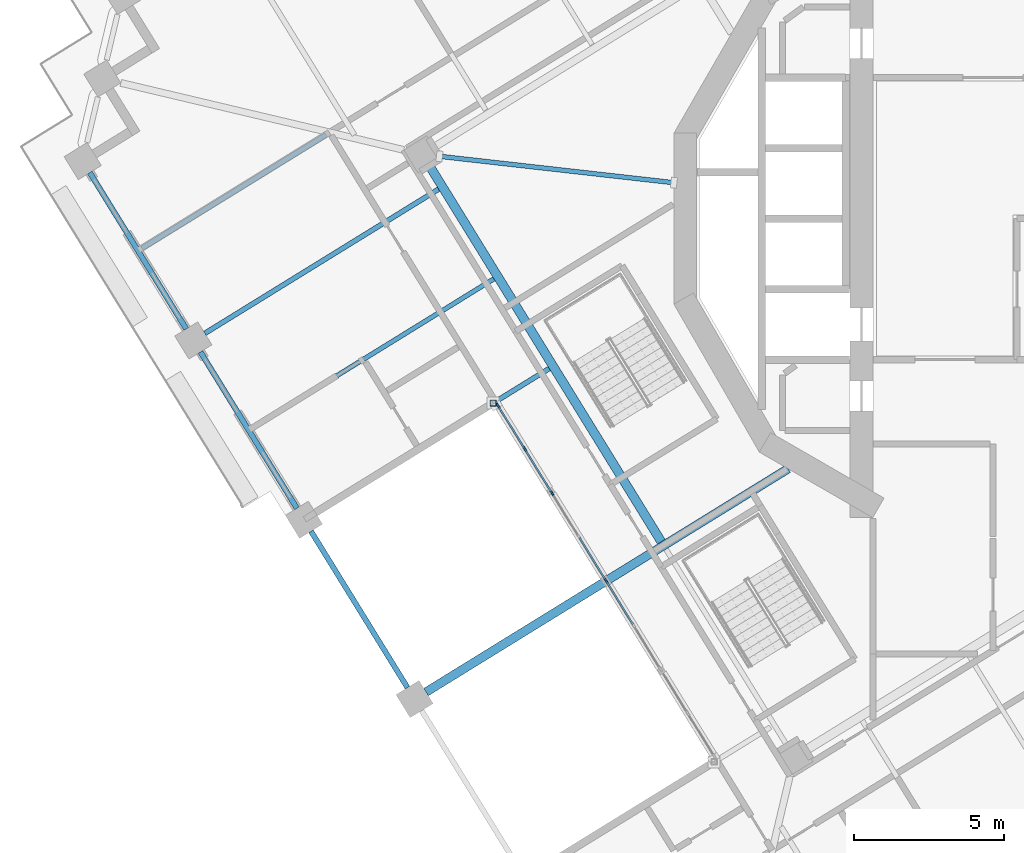
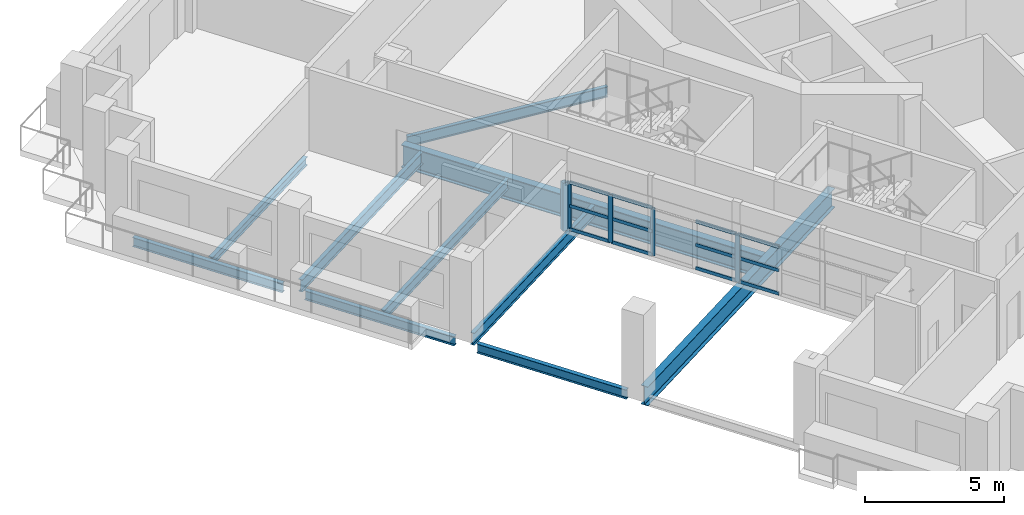
# One storey, part 3 of 22: 17 members, 10 beams, 1 element without a shape of its own.
"""IFC4 building model written with IfcOpenShell, lengths in metres."""

from ifc_helpers import new_model, si_unit, direction, frame, origin, origin_2d, place, context, subcontext, project, spatial, rectangle, hollow_rectangle, i_section, extrude, material, material_profile, profile_set, type_object, element, aggregate, save


model = new_model("IFC4")

# Units and contexts
model_context = context("Model", 3, precision=1e-05, world=origin(), true_north=direction((0.0, 1.0)))
body_context = subcontext(model_context, "Body", "Model", "MODEL_VIEW")
ifc_project = project(units=[si_unit("LENGTHUNIT", "METRE"), si_unit("AREAUNIT", "SQUARE_METRE"), si_unit("VOLUMEUNIT", "CUBIC_METRE"), si_unit("PLANEANGLEUNIT", "RADIAN"), si_unit("MASSUNIT", "GRAM", prefix="KILO")], contexts=[model_context])

# Site, building, storey
site_placement = place(None, origin())
site = spatial("IfcSite", under=ifc_project, at=site_placement, CompositionType="ELEMENT")
building_placement = place(site_placement, origin())
building = spatial("IfcBuilding", under=site, at=building_placement, Name="Cantera Rosa Tower", CompositionType="ELEMENT")
storey_placement = place(building_placement, frame((0.0, 0.0, 166.60009765625)))
storey = spatial("IfcBuildingStorey", under=building, at=storey_placement, Name="L36", CompositionType="ELEMENT", Elevation=166.60009765625)

# Curtain wall, members
ifc_material_1 = material(Name="Aluminium frame with clear glass", Category="aluminium")
curtain_wall_type = type_object("IfcCurtainWallType", Name="CW1 TERRACE POCKET GLAZING", PredefinedType="NOTDEFINED", material=ifc_material_1)
curtain_wall_placement = place(storey_placement, origin())
curtain_wall = element("IfcCurtainWall", 1, at=curtain_wall_placement, inside=storey, type_object=curtain_wall_type, Name="CW1 CW1", PredefinedType="NOTDEFINED")
ifc_material_2 = material(Name="Anodised bronze aluminium", Category="aluminium")
ifc_material_profile_1 = material_profile(ifc_material_2, rectangle(XDim=0.06005859375, YDim=0.179931640625, at=origin_2d()), Name="CW-MULLION 60x180 POCKET")
ifc_profile_set_1 = profile_set([ifc_material_profile_1], Name="Anodised bronze aluminium")
member_type_1 = type_object("IfcMemberType", Name="CW-MULLION 60x180 POCKET", PredefinedType="MULLION", material=ifc_profile_set_1)
member_1_placement = place(storey_placement, frame((-16.485595703125, -6.2265625, 0.0), z_axis=(0.0, 0.0, 1.0), x_axis=(0.851116672416, 0.524976580369, 0.0)))
member_1 = element("IfcMember", 2, at=member_1_placement, type_object=member_type_1, Name="CW1 mullion 1", PredefinedType="MULLION", context=body_context, shape_type="SweptSolid", body=[
    extrude(rectangle(XDim=0.06005859375, YDim=0.179931640625, at=origin_2d()), origin(), (0.0, 0.0, 1.0), 2.10400390625),
])
member_2_placement = place(storey_placement, frame((-15.596435546875, -7.668212890625, 0.0), z_axis=(0.0, 0.0, 1.0), x_axis=(0.851116672416, 0.524976580369, 0.0)))
member_2 = element("IfcMember", 3, at=member_2_placement, type_object=member_type_1, Name="CW1 mullion 2", PredefinedType="MULLION", context=body_context, shape_type="SweptSolid", body=[
    extrude(rectangle(XDim=0.06005859375, YDim=0.179931640625, at=origin_2d()), origin(), (0.0, 0.0, 1.0), 2.10400390625),
])
member_3_placement = place(storey_placement, frame((-14.69140625, -9.13525390625, 0.0), z_axis=(0.0, 0.0, 1.0), x_axis=(0.851116672416, 0.524976580369, 0.0)))
member_3 = element("IfcMember", 4, at=member_3_placement, type_object=member_type_1, Name="CW1 mullion 3", PredefinedType="MULLION", context=body_context, shape_type="SweptSolid", body=[
    extrude(rectangle(XDim=0.06005859375, YDim=0.179931640625, at=origin_2d()), origin(), (0.0, 0.0, 1.0), 2.10400390625),
])
member_4_placement = place(storey_placement, frame((-12.881591796875, -12.069580078125, 0.0), z_axis=(0.0, 0.0, 1.0), x_axis=(0.851116672416, 0.524976580369, 0.0)))
member_4 = element("IfcMember", 5, at=member_4_placement, type_object=member_type_1, Name="CW1 mullion 5", PredefinedType="MULLION", context=body_context, shape_type="SweptSolid", body=[
    extrude(rectangle(XDim=0.06005859375, YDim=0.179931640625, at=origin_2d()), origin(), (0.0, 0.0, 1.0), 2.10400390625),
])
ifc_material_3 = material(Name="Anodised bronze aluminium", Category="aluminium")
ifc_material_profile_2 = material_profile(ifc_material_3, rectangle(XDim=0.06005859375, YDim=0.139892578125, at=origin_2d()), Name="CW-TRANSOM 60x140 POCKET")
ifc_profile_set_2 = profile_set([ifc_material_profile_2], Name="Anodised bronze aluminium")
member_type_2 = type_object("IfcMemberType", Name="CW-TRANSOM 60x140 POCKET", PredefinedType="USERDEFINED", material=ifc_profile_set_2)
member_5_placement = place(storey_placement, frame((-16.469970703125, -6.252197265625, 0.02978515625), z_axis=(0.525005993613, -0.851098529355, 0.0), x_axis=(0.851098529355, 0.525005993613, 0.0)))
member_5 = element("IfcMember", 6, at=member_5_placement, type_object=member_type_2, Name="CW1 transom 1.1", ObjectType="TRANSOM", PredefinedType="USERDEFINED", context=body_context, shape_type="SweptSolid", body=[
    extrude(rectangle(XDim=0.06005859375, YDim=0.139892578125, at=origin_2d()), origin(), (0.0, 0.0, 1.0), 1.633544921875),
])
member_6_placement = place(storey_placement, frame((-16.469970703125, -6.252197265625, 1.052001953125), z_axis=(0.525005993613, -0.851098529355, 0.0), x_axis=(0.851098529355, 0.525005993613, 0.0)))
member_6 = element("IfcMember", 7, at=member_6_placement, type_object=member_type_2, Name="CW1 transom 1.2", ObjectType="TRANSOM", PredefinedType="USERDEFINED", context=body_context, shape_type="SweptSolid", body=[
    extrude(rectangle(XDim=0.06005859375, YDim=0.139892578125, at=origin_2d()), origin(), (0.0, 0.0, 1.0), 1.633544921875),
])
member_7_placement = place(storey_placement, frame((-16.469970703125, -6.252197265625, 2.073974609375), z_axis=(0.525005993613, -0.851098529355, 0.0), x_axis=(0.851098529355, 0.525005993613, 0.0)))
member_7 = element("IfcMember", 8, at=member_7_placement, type_object=member_type_2, Name="CW1 transom 1.3", ObjectType="TRANSOM", PredefinedType="USERDEFINED", context=body_context, shape_type="SweptSolid", body=[
    extrude(rectangle(XDim=0.06005859375, YDim=0.139892578125, at=origin_2d()), origin(), (0.0, 0.0, 1.0), 1.633544921875),
])
member_8_placement = place(storey_placement, frame((-15.58056640625, -7.693603515625, 0.02978515625), z_axis=(0.524858582698, -0.851189443173, 0.0), x_axis=(0.851189443173, 0.524858582698, 0.0)))
member_8 = element("IfcMember", 9, at=member_8_placement, type_object=member_type_2, Name="CW1 transom 2.1", ObjectType="TRANSOM", PredefinedType="USERDEFINED", context=body_context, shape_type="SweptSolid", body=[
    extrude(rectangle(XDim=0.06005859375, YDim=0.139892578125, at=origin_2d()), origin(), (0.0, 0.0, 1.0), 1.663818359375),
])
member_9_placement = place(storey_placement, frame((-15.58056640625, -7.693603515625, 1.052001953125), z_axis=(0.524858582698, -0.851189443173, 0.0), x_axis=(0.851189443173, 0.524858582698, 0.0)))
member_9 = element("IfcMember", 10, at=member_9_placement, type_object=member_type_2, Name="CW1 transom 2.2", ObjectType="TRANSOM", PredefinedType="USERDEFINED", context=body_context, shape_type="SweptSolid", body=[
    extrude(rectangle(XDim=0.06005859375, YDim=0.139892578125, at=origin_2d()), origin(), (0.0, 0.0, 1.0), 1.663818359375),
])
member_10_placement = place(storey_placement, frame((-15.58056640625, -7.693603515625, 2.073974609375), z_axis=(0.524858582698, -0.851189443173, 0.0), x_axis=(0.851189443173, 0.524858582698, 0.0)))
member_10 = element("IfcMember", 11, at=member_10_placement, type_object=member_type_2, Name="CW1 transom 2.3", ObjectType="TRANSOM", PredefinedType="USERDEFINED", context=body_context, shape_type="SweptSolid", body=[
    extrude(rectangle(XDim=0.06005859375, YDim=0.139892578125, at=origin_2d()), origin(), (0.0, 0.0, 1.0), 1.663818359375),
])
member_11_placement = place(storey_placement, frame((-13.770751953125, -10.6279296875, 0.02978515625), z_axis=(0.524924142227, -0.851149014514, 0.0), x_axis=(0.851149014514, 0.524924142227, 0.0)))
member_11 = element("IfcMember", 12, at=member_11_placement, type_object=member_type_2, Name="CW1 transom 4.1", ObjectType="TRANSOM", PredefinedType="USERDEFINED", context=body_context, shape_type="SweptSolid", body=[
    extrude(rectangle(XDim=0.06005859375, YDim=0.139892578125, at=origin_2d()), origin(), (0.0, 0.0, 1.0), 1.66357421875),
])
member_12_placement = place(storey_placement, frame((-13.770751953125, -10.6279296875, 1.052001953125), z_axis=(0.524924142227, -0.851149014514, 0.0), x_axis=(0.851149014514, 0.524924142227, 0.0)))
member_12 = element("IfcMember", 13, at=member_12_placement, type_object=member_type_2, Name="CW1 transom 4.2", ObjectType="TRANSOM", PredefinedType="USERDEFINED", context=body_context, shape_type="SweptSolid", body=[
    extrude(rectangle(XDim=0.06005859375, YDim=0.139892578125, at=origin_2d()), origin(), (0.0, 0.0, 1.0), 1.66357421875),
])
member_13_placement = place(storey_placement, frame((-13.770751953125, -10.6279296875, 2.073974609375), z_axis=(0.524924142227, -0.851149014514, 0.0), x_axis=(0.851149014514, 0.524924142227, 0.0)))
member_13 = element("IfcMember", 14, at=member_13_placement, type_object=member_type_2, Name="CW1 transom 4.3", ObjectType="TRANSOM", PredefinedType="USERDEFINED", context=body_context, shape_type="SweptSolid", body=[
    extrude(rectangle(XDim=0.06005859375, YDim=0.139892578125, at=origin_2d()), origin(), (0.0, 0.0, 1.0), 1.66357421875),
])
member_14_placement = place(storey_placement, frame((-12.865966796875, -12.094970703125, 0.02978515625), z_axis=(0.525030443539, -0.851083446765, 0.0), x_axis=(0.851083446765, 0.525030443539, 0.0)))
member_14 = element("IfcMember", 15, at=member_14_placement, type_object=member_type_2, Name="CW1 transom 5.1", ObjectType="TRANSOM", PredefinedType="USERDEFINED", context=body_context, shape_type="SweptSolid", body=[
    extrude(rectangle(XDim=0.06005859375, YDim=0.139892578125, at=origin_2d()), origin(), (0.0, 0.0, 1.0), 1.663818359375),
])
member_15_placement = place(storey_placement, frame((-12.865966796875, -12.094970703125, 1.052001953125), z_axis=(0.525030443539, -0.851083446765, 0.0), x_axis=(0.851083446765, 0.525030443539, 0.0)))
member_15 = element("IfcMember", 16, at=member_15_placement, type_object=member_type_2, Name="CW1 transom 5.2", ObjectType="TRANSOM", PredefinedType="USERDEFINED", context=body_context, shape_type="SweptSolid", body=[
    extrude(rectangle(XDim=0.06005859375, YDim=0.139892578125, at=origin_2d()), origin(), (0.0, 0.0, 1.0), 1.663818359375),
])
member_16_placement = place(storey_placement, frame((-12.865966796875, -12.094970703125, 2.073974609375), z_axis=(0.525030443539, -0.851083446765, 0.0), x_axis=(0.851083446765, 0.525030443539, 0.0)))
member_16 = element("IfcMember", 17, at=member_16_placement, type_object=member_type_2, Name="CW1 transom 5.3", ObjectType="TRANSOM", PredefinedType="USERDEFINED", context=body_context, shape_type="SweptSolid", body=[
    extrude(rectangle(XDim=0.06005859375, YDim=0.139892578125, at=origin_2d()), origin(), (0.0, 0.0, 1.0), 1.663818359375),
])
aggregate(curtain_wall, [member_1, member_2, member_3, member_4, member_5, member_6, member_7, member_8, member_9, member_10, member_11, member_12, member_13, member_14, member_15, member_16])

# Member
ifc_material_4 = material(Name="Steel ASTM A992 (Fy 345 MPa)", Category="steel")
ifc_material_profile_3 = material_profile(ifc_material_4, hollow_rectangle(XDim=0.199951171875, YDim=0.199951171875, WallThickness=0.010009765625, at=origin_2d()), Name="LINTEL POST RHS 200x200x10")
ifc_profile_set_3 = profile_set([ifc_material_profile_3], Name="Steel ASTM A992 (Fy 345 MPa)")
member_type_3 = type_object("IfcMemberType", Name="LINTEL POST RHS 200x200x10", PredefinedType="USERDEFINED", material=ifc_profile_set_3)
member_17_placement = place(storey_placement, frame((-16.652099609375, -6.147216796875, 0.0), z_axis=(0.0, 0.0, 1.0), x_axis=(1.0, 0.0, 0.0)))
element("IfcMember", 18, at=member_17_placement, inside=storey, type_object=member_type_3, Name="LINTEL POST L36-1", ObjectType="LINTEL POST", PredefinedType="USERDEFINED", context=body_context, shape_type="SweptSolid", body=[
    extrude(hollow_rectangle(XDim=0.199951171875, YDim=0.199951171875, WallThickness=0.010009765625, at=origin_2d()), origin(), (0.0, 0.0, 1.0), 2.10595703125),
])

# Beams
ifc_material_5 = material(Name="Steel ASTM A992 (Fy 345 MPa)", Category="steel")
ifc_material_profile_4 = material_profile(ifc_material_5, i_section(OverallWidth=0.300048828125, OverallDepth=0.990966796875, WebThickness=0.0166015625, FlangeThickness=0.030517578125, FilletRadius=0.030029296875, at=origin_2d()), Name="W1000X272")
ifc_profile_set_4 = profile_set([ifc_material_profile_4], Name="Steel ASTM A992 (Fy 345 MPa)")
beam_type_1 = type_object("IfcBeamType", Name="STEEL BEAM W1000X272", PredefinedType="BEAM", material=ifc_profile_set_4)
beam_1_placement = place(storey_placement, frame((-11.04541015625, -10.7607421875, -0.74560546875), z_axis=(-0.524974072618, 0.851118219215, 0.0), x_axis=(-0.851118219215, -0.524974072618, 0.0)))
element("IfcBeam", 19, at=beam_1_placement, inside=storey, type_object=beam_type_1, Name="RB-Z3-08 L36", PredefinedType="BEAM", context=body_context, shape_type="SweptSolid", body=[
    extrude(i_section(OverallWidth=0.300048828125, OverallDepth=0.990966796875, WebThickness=0.0166015625, FlangeThickness=0.030517578125, FilletRadius=0.030029296875, at=origin_2d()), origin(), (0.0, 0.0, 1.0), 14.7099609375),
])
ifc_material_6 = material(Name="Steel ASTM A992 (Fy 345 MPa)", Category="steel")
ifc_material_profile_5 = material_profile(ifc_material_6, i_section(OverallWidth=0.154052734375, OverallDepth=0.4599609375, WebThickness=0.009033203125, FlangeThickness=0.015380859375, FilletRadius=0.01025390625, at=origin_2d()), Name="W460X68")
ifc_profile_set_5 = profile_set([ifc_material_profile_5], Name="Steel ASTM A992 (Fy 345 MPa)")
beam_type_2 = type_object("IfcBeamType", Name="STEEL BEAM W460X68", PredefinedType="BEAM", material=ifc_profile_set_5)
beam_2_placement = place(storey_placement, frame((-18.435791015625, 2.078125, -0.47998046875), z_axis=(0.993707483767, -0.11200641368, 0.0), x_axis=(0.11200641368, 0.993707483767, 0.0)))
element("IfcBeam", 20, at=beam_2_placement, inside=storey, type_object=beam_type_2, Name="PG-Z3-01 L36", PredefinedType="BEAM", context=body_context, shape_type="SweptSolid", body=[
    extrude(i_section(OverallWidth=0.154052734375, OverallDepth=0.4599609375, WebThickness=0.009033203125, FlangeThickness=0.015380859375, FilletRadius=0.01025390625, at=origin_2d()), origin(), (0.0, 0.0, 1.0), 7.860107421875),
])
ifc_material_7 = material(Name="Steel ASTM A992 (Fy 345 MPa)", Category="steel")
ifc_material_profile_6 = material_profile(ifc_material_7, i_section(OverallWidth=0.166015625, OverallDepth=0.528076171875, WebThickness=0.009765625, FlangeThickness=0.013671875, FilletRadius=0.0126953125, at=origin_2d()), Name="W530X74")
ifc_profile_set_6 = profile_set([ifc_material_profile_6], Name="Steel ASTM A992 (Fy 345 MPa)")
beam_type_3 = type_object("IfcBeamType", Name="STEEL BEAM W530X74", PredefinedType="BEAM", material=ifc_profile_set_6)
beam_3_placement = place(storey_placement, frame((-26.252685546875, -3.82080078125, -0.51416015625), z_axis=(0.851116426313, 0.524976979362, 0.0), x_axis=(-0.524976979362, 0.851116426313, 0.0)))
element("IfcBeam", 21, at=beam_3_placement, inside=storey, type_object=beam_type_3, Name="G-Z3-13 L36", PredefinedType="BEAM", context=body_context, shape_type="SweptSolid", body=[
    extrude(i_section(OverallWidth=0.166015625, OverallDepth=0.528076171875, WebThickness=0.009765625, FlangeThickness=0.013671875, FilletRadius=0.0126953125, at=origin_2d()), origin(), (0.0, 0.0, 1.0), 9.14990234375),
])
beam_4_placement = place(storey_placement, frame((-22.5673828125, -9.795654296875, -0.51416015625), z_axis=(0.851123779764, 0.524965057427, 0.0), x_axis=(-0.524965057427, 0.851123779764, 0.0)))
element("IfcBeam", 22, at=beam_4_placement, inside=storey, type_object=beam_type_3, Name="G-Z3-14 L36", PredefinedType="BEAM", context=body_context, shape_type="SweptSolid", body=[
    extrude(i_section(OverallWidth=0.166015625, OverallDepth=0.528076171875, WebThickness=0.009765625, FlangeThickness=0.013671875, FilletRadius=0.0126953125, at=origin_2d()), origin(), (0.0, 0.0, 1.0), 9.150146484375),
])
ifc_material_8 = material(Name="Steel ASTM A992 (Fy 345 MPa)", Category="steel")
ifc_material_profile_7 = material_profile(ifc_material_8, i_section(OverallWidth=0.2919921875, OverallDepth=0.8359375, WebThickness=0.013916015625, FlangeThickness=0.018798828125, FilletRadius=0.017822265625, at=origin_2d()), Name="W840X176")
ifc_profile_set_7 = profile_set([ifc_material_profile_7], Name="Steel ASTM A992 (Fy 345 MPa)")
beam_type_4 = type_object("IfcBeamType", Name="STEEL BEAM W840X176", PredefinedType="BEAM", material=ifc_profile_set_7)
beam_5_placement = place(storey_placement, frame((-18.882080078125, -15.7705078125, -0.668212890625), z_axis=(0.8511231456, 0.524966085595, 0.0), x_axis=(-0.524966085595, 0.8511231456, 0.0)))
element("IfcBeam", 23, at=beam_5_placement, inside=storey, type_object=beam_type_4, Name="G-Z3-15 L36", PredefinedType="BEAM", context=body_context, shape_type="SweptSolid", body=[
    extrude(i_section(OverallWidth=0.2919921875, OverallDepth=0.8359375, WebThickness=0.013916015625, FlangeThickness=0.018798828125, FilletRadius=0.017822265625, at=origin_2d()), origin(), (0.0, 0.0, 1.0), 14.17138671875),
])
ifc_material_9 = material(Name="Steel ASTM A992 (Fy 345 MPa)", Category="steel")
ifc_material_profile_8 = material_profile(ifc_material_9, i_section(OverallWidth=0.1708984375, OverallDepth=0.35595703125, WebThickness=0.00732421875, FlangeThickness=0.01171875, FilletRadius=0.010009765625, at=origin_2d()), Name="W360X51")
ifc_profile_set_8 = profile_set([ifc_material_profile_8], Name="Steel ASTM A992 (Fy 345 MPa)")
beam_type_5 = type_object("IfcBeamType", Name="STEEL JOIST W360X51", PredefinedType="JOIST", material=ifc_profile_set_8)
beam_6_placement = place(storey_placement, frame((-28.3505859375, -0.990966796875, -0.427978515625), z_axis=(0.851109089911, 0.524988873283, 0.0), x_axis=(-0.524988873283, 0.851109089911, 0.0)))
element("IfcBeam", 24, at=beam_6_placement, inside=storey, type_object=beam_type_5, Name="B-Z3-16 L36", PredefinedType="JOIST", context=body_context, shape_type="SweptSolid", body=[
    extrude(i_section(OverallWidth=0.1708984375, OverallDepth=0.35595703125, WebThickness=0.00732421875, FlangeThickness=0.01171875, FilletRadius=0.010009765625, at=origin_2d()), origin(), (0.0, 0.0, 1.0), 7.2099609375),
])
ifc_material_10 = material(Name="Steel ASTM A992 (Fy 345 MPa)", Category="steel")
ifc_material_profile_9 = material_profile(ifc_material_10, i_section(OverallWidth=0.154052734375, OverallDepth=0.4599609375, WebThickness=0.009033203125, FlangeThickness=0.015380859375, FilletRadius=0.01025390625, at=origin_2d()), Name="W460X68")
ifc_profile_set_9 = profile_set([ifc_material_profile_9], Name="Steel ASTM A992 (Fy 345 MPa)")
beam_type_6 = type_object("IfcBeamType", Name="STEEL JOIST W460X68", PredefinedType="JOIST", material=ifc_profile_set_9)
beam_7_placement = place(storey_placement, frame((-24.665283203125, -6.9658203125, -0.47998046875), z_axis=(0.851118539758, 0.524973552935, 0.0), x_axis=(-0.524973552935, 0.851118539758, 0.0)))
element("IfcBeam", 25, at=beam_7_placement, inside=storey, type_object=beam_type_6, Name="B-Z3-17 L36", PredefinedType="JOIST", context=body_context, shape_type="SweptSolid", body=[
    extrude(i_section(OverallWidth=0.154052734375, OverallDepth=0.4599609375, WebThickness=0.009033203125, FlangeThickness=0.015380859375, FilletRadius=0.01025390625, at=origin_2d()), origin(), (0.0, 0.0, 1.0), 9.449951171875),
])
ifc_material_11 = material(Name="Steel ASTM A992 (Fy 345 MPa)", Category="steel")
ifc_material_profile_10 = material_profile(ifc_material_11, i_section(OverallWidth=0.177978515625, OverallDepth=0.406005859375, WebThickness=0.0078125, FlangeThickness=0.0126953125, FilletRadius=0.01025390625, at=origin_2d()), Name="W410X60")
ifc_profile_set_10 = profile_set([ifc_material_profile_10], Name="Steel ASTM A992 (Fy 345 MPa)")
beam_type_7 = type_object("IfcBeamType", Name="STEEL SPANDREL BEAM W410X60", PredefinedType="SPANDREL", material=ifc_profile_set_10)
for number, where, z_axis, x_axis, name in (
    (26, (-30.084716796875, 1.53466796875, -0.453125), (0.524987447654, -0.851109969279, 0.0), (0.851109969279, 0.524987447654, 0.0), "EB-Z3-15 L36"),
    (27, (-26.3994140625, -4.440185546875, -0.453125), (0.524987447654, -0.851109969279, 0.0), (0.851109969279, 0.524987447654, 0.0), "EB-Z3-16 L36"),
    (28, (-22.714111328125, -10.4150390625, -0.453125), (0.524987447654, -0.851109969279, 0.0), (0.851109969279, 0.524987447654, 0.0), "EB-Z3-17 L36"),
):
    element("IfcBeam", number, at=place(storey_placement, frame(where, z_axis=z_axis, x_axis=x_axis)), inside=storey, type_object=beam_type_7, Name=name, PredefinedType="SPANDREL", context=body_context, shape_type="SweptSolid", body=[
        extrude(i_section(OverallWidth=0.177978515625, OverallDepth=0.406005859375, WebThickness=0.0078125, FlangeThickness=0.0126953125, FilletRadius=0.01025390625, at=origin_2d()), origin(), (0.0, 0.0, 1.0), 6.119873046875),
    ])

save(model, "model.ifc")
